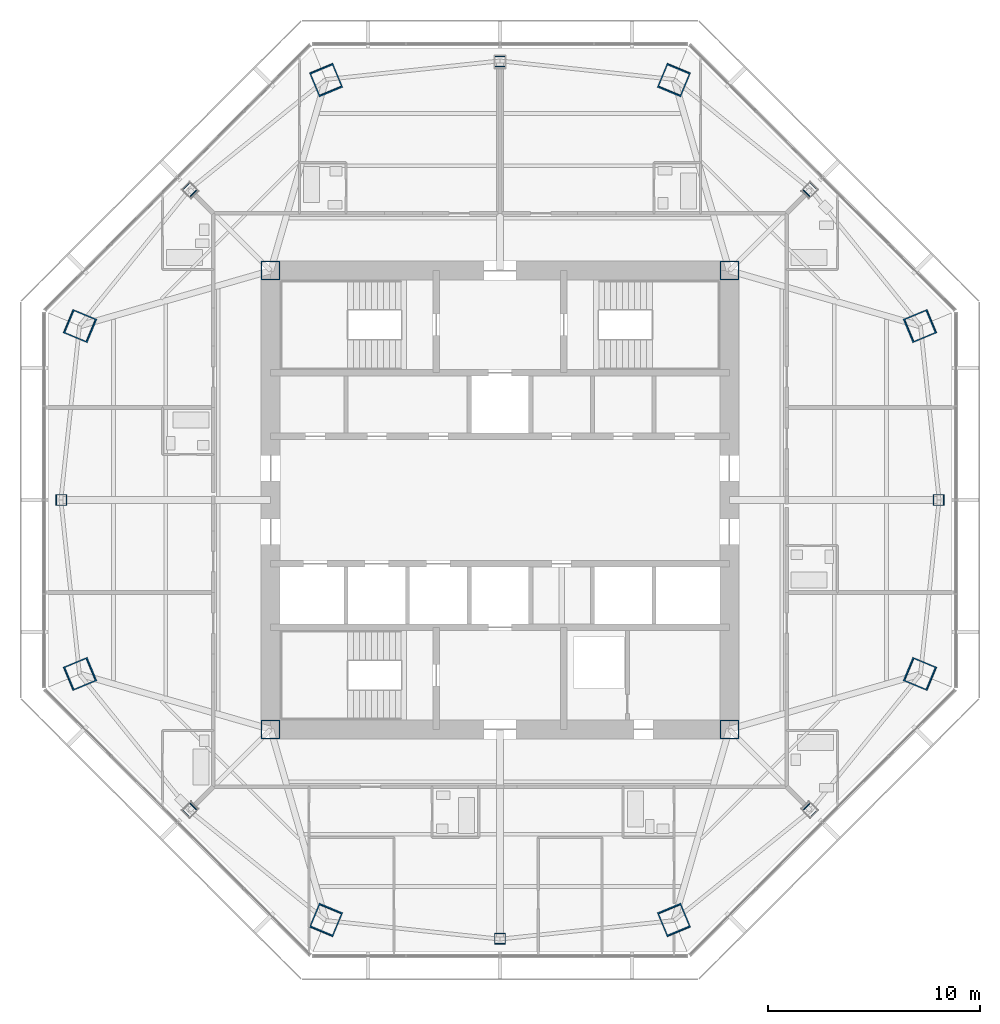
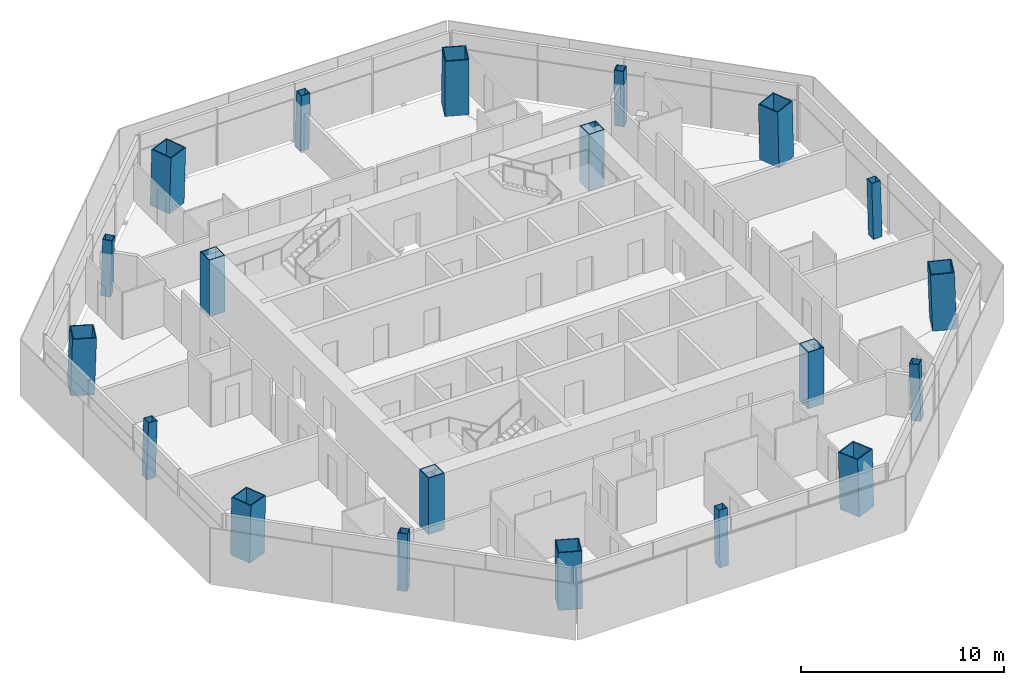
# One storey, part 1 of 15: 20 columns.
"""IFC4 building model written with IfcOpenShell, lengths in metres."""

from ifc_helpers import new_model, si_unit, direction, frame, origin, origin_2d, place, context, subcontext, project, spatial, hollow_rectangle, extrude, material, material_profile, profile_set, type_object, element, save


model = new_model("IFC4")

# Units and contexts
model_context = context("Model", 3, precision=1e-05, world=origin(), true_north=direction((0.0, 1.0)))
body_context = subcontext(model_context, "Body", "Model", "MODEL_VIEW")
ifc_project = project(units=[si_unit("LENGTHUNIT", "METRE"), si_unit("AREAUNIT", "SQUARE_METRE"), si_unit("VOLUMEUNIT", "CUBIC_METRE"), si_unit("PLANEANGLEUNIT", "RADIAN"), si_unit("MASSUNIT", "GRAM", prefix="KILO")], contexts=[model_context])

# Site, building, storey
site_placement = place(None, origin())
site = spatial("IfcSite", under=ifc_project, at=site_placement, CompositionType="ELEMENT")
building_placement = place(site_placement, origin())
building = spatial("IfcBuilding", under=site, at=building_placement, Name="Mashrafa Tower", CompositionType="ELEMENT")
storey_placement = place(building_placement, frame((0.0, 0.0, 231.199951171875)))
storey = spatial("IfcBuildingStorey", under=building, at=storey_placement, Name="L54", CompositionType="ELEMENT", Elevation=231.199951171875)

# Columns
ifc_material_1 = material(Name="Steel ASTM A572 Gr 50", Category="steel")
ifc_material_profile_1 = material_profile(ifc_material_1, hollow_rectangle(XDim=0.89990234375, YDim=0.89990234375, WallThickness=0.050048828125, at=origin_2d()), Name="BOX900X900X50")
ifc_profile_set_1 = profile_set([ifc_material_profile_1], Name="Steel ASTM A572 Gr 50")
column_type_1 = type_object("IfcColumnType", Name="Core corner column BOX900X900X50", PredefinedType="COLUMN", material=ifc_profile_set_1)
for number, where, z_axis, x_axis, name in (
    (1, (10.800048828125, 10.800048828125, 0.0), (0.0, 0.0, 1.0), (1.0, 0.0, 0.0), "Core corner column CC-NE L54"),
    (2, (-10.800048828125, 10.800048828125, 0.0), (0.0, 0.0, 1.0), (1.0, 0.0, 0.0), "Core corner column CC-NW L54"),
    (3, (-10.800048828125, -10.800048828125, 0.0), (0.0, 0.0, 1.0), (1.0, 0.0, 0.0), "Core corner column CC-SW L54"),
    (4, (10.800048828125, -10.800048828125, 0.0), (0.0, 0.0, 1.0), (1.0, 0.0, 0.0), "Core corner column CC-SE L54"),
):
    element("IfcColumn", number, at=place(storey_placement, frame(where, z_axis=z_axis, x_axis=x_axis)), inside=storey, type_object=column_type_1, Name=name, PredefinedType="COLUMN", context=body_context, shape_type="SweptSolid", body=[
        extrude(hollow_rectangle(XDim=0.89990234375, YDim=0.89990234375, WallThickness=0.050048828125, at=origin_2d()), origin(), (0.0, 0.0, 1.0), 3.400146484375),
    ])
ifc_material_2 = material(Name="Steel ASTM A572 Gr 50", Category="steel")
ifc_material_profile_2 = material_profile(ifc_material_2, hollow_rectangle(XDim=1.199951171875, YDim=1.199951171875, WallThickness=0.054931640625, at=origin_2d()), Name="BOX1200X1200X55")
ifc_profile_set_2 = profile_set([ifc_material_profile_2], Name="Steel ASTM A572 Gr 50")
column_type_2 = type_object("IfcColumnType", Name="Mega column CFST BOX1200X1200X55", PredefinedType="COLUMN", material=ifc_profile_set_2)
for number, where, z_axis, x_axis, name in (
    (5, (19.796142578125, 8.199951171875, 0.0), (-0.02827709807, -0.011770162649, 0.999530824435), (0.3842825994, -0.923215513192, 0.0), "Mega column MC1 L54"),
    (6, (8.199951171875, 19.796142578125, 0.0), (-0.011770162649, -0.02827709807, 0.999530824435), (0.923215513192, -0.3842825994, 0.0), "Mega column MC2 L54"),
    (7, (-8.199951171875, 19.796142578125, 0.0), (0.011770162649, -0.02827709807, 0.999530824435), (0.923215513192, 0.3842825994, 0.0), "Mega column MC3 L54"),
    (8, (-19.796142578125, 8.199951171875, 0.0), (0.02827709807, -0.011770162649, 0.999530824435), (0.3842825994, 0.923215513192, 0.0), "Mega column MC4 L54"),
    (9, (-19.796142578125, -8.199951171875, 0.0), (0.02827709807, 0.011770162649, 0.999530824435), (-0.3842825994, 0.923215513192, 0.0), "Mega column MC5 L54"),
    (10, (-8.199951171875, -19.796142578125, 0.0), (0.011770162649, 0.02827709807, 0.999530824435), (-0.923215513192, 0.3842825994, 0.0), "Mega column MC6 L54"),
    (11, (8.199951171875, -19.796142578125, 0.0), (-0.011770162649, 0.02827709807, 0.999530824435), (-0.923215513192, -0.3842825994, 0.0), "Mega column MC7 L54"),
    (12, (19.796142578125, -8.199951171875, 0.0), (-0.02827709807, 0.011770162649, 0.999530824435), (-0.3842825994, -0.923215513192, 0.0), "Mega column MC8 L54"),
):
    element("IfcColumn", number, at=place(storey_placement, frame(where, z_axis=z_axis, x_axis=x_axis)), inside=storey, type_object=column_type_2, Name=name, PredefinedType="COLUMN", context=body_context, shape_type="SweptSolid", body=[
        extrude(hollow_rectangle(XDim=1.199951171875, YDim=1.199951171875, WallThickness=0.054931640625, at=origin_2d()), origin(), (0.0, 0.0, 1.0), 3.40185546875),
    ])
ifc_material_3 = material(Name="Steel ASTM A572 Gr 50", Category="steel")
ifc_material_profile_3 = material_profile(ifc_material_3, hollow_rectangle(XDim=0.5, YDim=0.5, WallThickness=0.02490234375, at=origin_2d()), Name="BOX500X500X25")
ifc_profile_set_3 = profile_set([ifc_material_profile_3], Name="Steel ASTM A572 Gr 50")
column_type_3 = type_object("IfcColumnType", Name="Secondary column BOX500X500X25", PredefinedType="COLUMN", material=ifc_profile_set_3)
for number, where, z_axis, x_axis, name in (
    (13, (20.67431640625, 0.0, 0.0), (-0.028279056982, 0.0, 0.999600067495), (0.0, -1.0, 0.0), "Secondary column SC1 L54"),
    (14, (14.618896484375, 14.618896484375, 0.0), (-0.019953277583, -0.019953277583, 0.999601787427), (0.707106781187, -0.707106781187, 0.0), "Secondary column SC2 L54"),
    (15, (0.0, 20.67431640625, 0.0), (0.0, -0.028279056982, 0.999600067495), (1.0, 0.0, 0.0), "Secondary column SC3 L54"),
    (16, (-14.618896484375, 14.618896484375, 0.0), (0.019953277583, -0.019953277583, 0.999601787427), (0.707106781187, 0.707106781187, 0.0), "Secondary column SC4 L54"),
    (17, (-20.67431640625, 0.0, 0.0), (0.028279056982, 0.0, 0.999600067495), (0.0, 1.0, 0.0), "Secondary column SC5 L54"),
    (18, (-14.618896484375, -14.618896484375, 0.0), (0.019953277583, 0.019953277583, 0.999601787427), (-0.707106781187, 0.707106781187, 0.0), "Secondary column SC6 L54"),
    (19, (0.0, -20.67431640625, 0.0), (0.0, 0.028279056982, 0.999600067495), (-1.0, 0.0, 0.0), "Secondary column SC7 L54"),
    (20, (14.618896484375, -14.618896484375, 0.0), (-0.019953277583, 0.019953277583, 0.999601787427), (-0.707106781187, -0.707106781187, 0.0), "Secondary column SC8 L54"),
):
    element("IfcColumn", number, at=place(storey_placement, frame(where, z_axis=z_axis, x_axis=x_axis)), inside=storey, type_object=column_type_3, Name=name, PredefinedType="COLUMN", context=body_context, shape_type="SweptSolid", body=[
        extrude(hollow_rectangle(XDim=0.5, YDim=0.5, WallThickness=0.02490234375, at=origin_2d()), origin(), (0.0, 0.0, 1.0), 3.401611328125),
    ])

save(model, "model.ifc")
